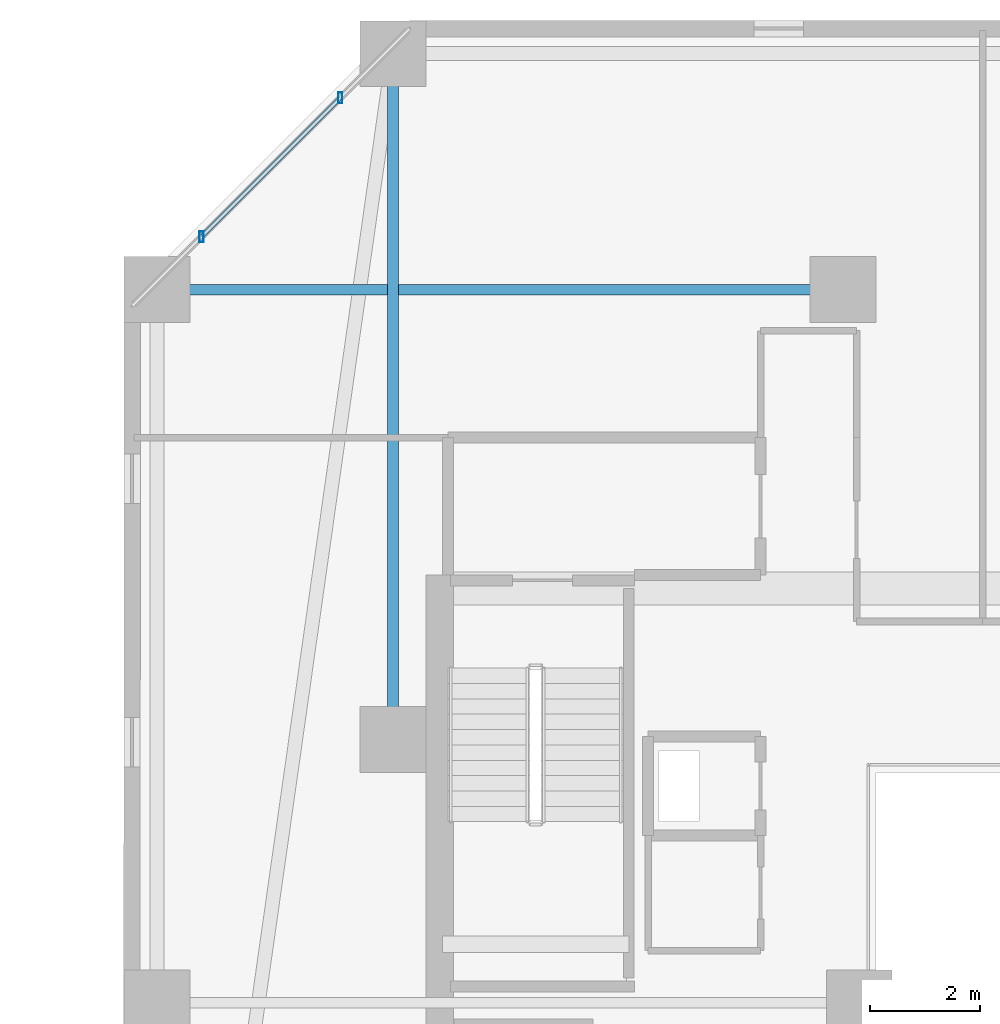
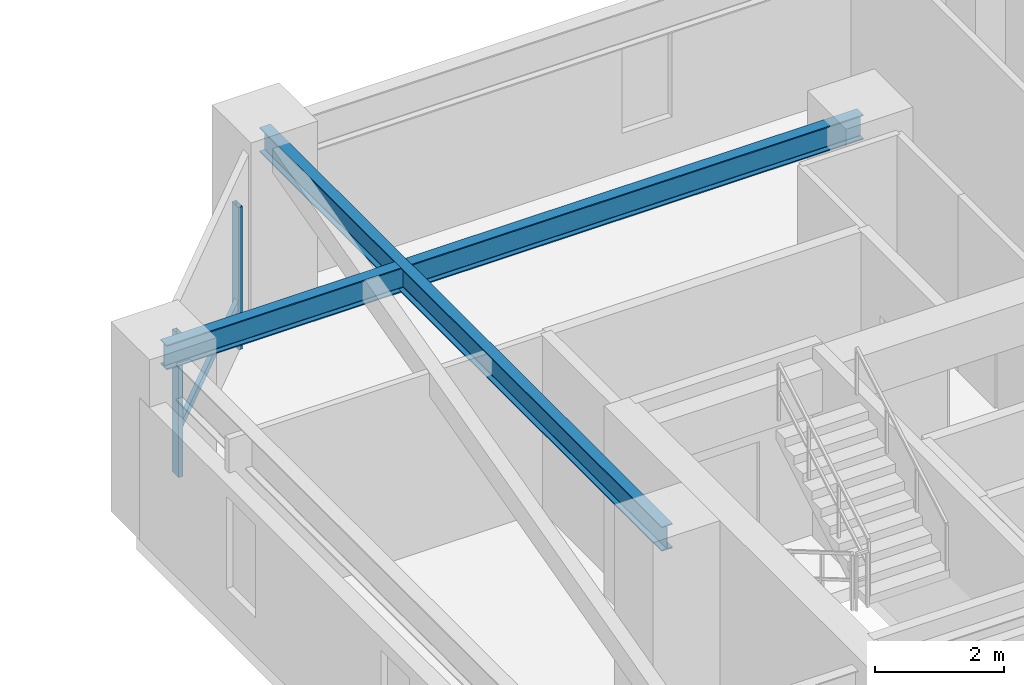
# One storey, part 14 of 33: 3 members, 2 beams, 1 element without a shape of its own.
"""IFC4 building model written with IfcOpenShell, lengths in metres."""

from ifc_helpers import new_model, si_unit, direction, frame, origin, origin_2d, place, context, subcontext, project, spatial, hollow_rectangle, i_section, extrude, material, material_profile, profile_set, type_object, element, aggregate, save


model = new_model("IFC4")

# Units and contexts
model_context = context("Model", 3, precision=1e-05, world=origin(), true_north=direction((0.0, 1.0)))
body_context = subcontext(model_context, "Body", "Model", "MODEL_VIEW")
ifc_project = project(units=[si_unit("LENGTHUNIT", "METRE"), si_unit("AREAUNIT", "SQUARE_METRE"), si_unit("VOLUMEUNIT", "CUBIC_METRE"), si_unit("PLANEANGLEUNIT", "RADIAN"), si_unit("MASSUNIT", "GRAM", prefix="KILO")], contexts=[model_context])

# Site, building, storey
site_placement = place(None, origin())
site = spatial("IfcSite", under=ifc_project, at=site_placement, CompositionType="ELEMENT")
building_placement = place(site_placement, origin())
building = spatial("IfcBuilding", under=site, at=building_placement, Name="Thornwick Lancets Civic Towers", CompositionType="ELEMENT")
storey_placement = place(building_placement, frame((0.0, 0.0, 134.10009765625)))
storey = spatial("IfcBuildingStorey", under=building, at=storey_placement, Name="L35", CompositionType="ELEMENT", Elevation=134.10009765625)

# Beams
ifc_material_1 = material(Name="Steel S355JR", Category="steel")
ifc_material_profile_1 = material_profile(ifc_material_1, i_section(OverallWidth=0.19287109375, OverallDepth=0.46728515625, WebThickness=0.011474609375, FlangeThickness=0.01953125, FilletRadius=0.01025390625, at=origin_2d()), Name="UKB 457x191x98")
ifc_profile_set_1 = profile_set([ifc_material_profile_1], Name="Steel S355JR")
beam_type = type_object("IfcBeamType", Name="BM_JOIST_457_98", PredefinedType="JOIST", material=ifc_profile_set_1)
for number, where, z_axis, x_axis, name in (
    (1, (75.5, 31.800048828125, 3.126220703125), (0.0, 1.0, 0.0), (-1.0, 0.0, 0.0), "BM-RADIN-L35-B06"),
    (2, (83.699951171875, 40.0, 3.126220703125), (-1.0, 0.0, 0.0), (0.0, -1.0, 0.0), "BM-RADIN-L35-B09"),
):
    element("IfcBeam", number, at=place(storey_placement, frame(where, z_axis=z_axis, x_axis=x_axis)), inside=storey, type_object=beam_type, Name=name, PredefinedType="JOIST", context=body_context, shape_type="SweptSolid", body=[
        extrude(i_section(OverallWidth=0.19287109375, OverallDepth=0.46728515625, WebThickness=0.011474609375, FlangeThickness=0.01953125, FilletRadius=0.01025390625, at=origin_2d()), origin(), (0.0, 0.0, 1.0), 12.5),
    ])

# Curtain wall, members
ifc_material_2 = material(Name="Mid-zone chamfered-corner unitised glass curtain wall", Category="glass")
curtain_wall_type = type_object("IfcCurtainWallType", Name="CW_SYS_04", PredefinedType="NOTDEFINED", material=ifc_material_2)
curtain_wall_placement = place(storey_placement, origin())
curtain_wall = element("IfcCurtainWall", 3, at=curtain_wall_placement, inside=storey, type_object=curtain_wall_type, Name="L35 Curtain Wall CW-L35-B-E5", PredefinedType="NOTDEFINED")
ifc_material_3 = material(Name="Thermally broken bronze aluminium S355", Category="steel")
ifc_material_profile_2 = material_profile(ifc_material_3, hollow_rectangle(XDim=0.080078125, YDim=0.199951171875, WallThickness=0.006103515625, at=origin_2d()), Name="RHS 200x80x6")
ifc_profile_set_2 = profile_set([ifc_material_profile_2], Name="Thermally broken bronze aluminium S355")
member_type_1 = type_object("IfcMemberType", Name="CW_MUL_200", PredefinedType="MULLION", material=ifc_profile_set_2)
member_1_placement = place(storey_placement, frame((74.5380859375, 43.493896484375, 0.0), z_axis=(0.0, 0.0, 1.0), x_axis=(1.0, 0.0, 0.0)))
member_1 = element("IfcMember", 4, at=member_1_placement, type_object=member_type_1, Name="CW-L35-B-E5 Mullion 0", PredefinedType="MULLION", context=body_context, shape_type="SweptSolid", body=[
    extrude(hollow_rectangle(XDim=0.080078125, YDim=0.199951171875, WallThickness=0.006103515625, at=origin_2d()), origin(), (0.0, 0.0, 1.0), 2.699951171875),
])
member_2_placement = place(storey_placement, frame((72.006103515625, 40.9619140625, 0.0), z_axis=(0.0, 0.0, 1.0), x_axis=(1.0, 0.0, 0.0)))
member_2 = element("IfcMember", 5, at=member_2_placement, type_object=member_type_1, Name="CW-L35-B-E5 Mullion 1", PredefinedType="MULLION", context=body_context, shape_type="SweptSolid", body=[
    extrude(hollow_rectangle(XDim=0.080078125, YDim=0.199951171875, WallThickness=0.006103515625, at=origin_2d()), origin(), (0.0, 0.0, 1.0), 2.699951171875),
])
ifc_material_profile_3 = material_profile(ifc_material_3, hollow_rectangle(XDim=0.074951171875, YDim=0.14990234375, WallThickness=0.0048828125, at=origin_2d()), Name="RHS 150x75x5")
ifc_profile_set_3 = profile_set([ifc_material_profile_3], Name="Thermally broken bronze aluminium S355")
member_type_2 = type_object("IfcMemberType", Name="CW_TRN_150", PredefinedType="USERDEFINED", material=ifc_profile_set_3)
member_3_placement = place(storey_placement, frame((74.524169921875, 43.47998046875, 0.849853515625), z_axis=(-0.707106781187, -0.707106781187, 0.0), x_axis=(0.707106781187, -0.707106781187, 0.0)))
member_3 = element("IfcMember", 6, at=member_3_placement, type_object=member_type_2, Name="CW-L35-B-E5 Transom 0", ObjectType="TRANSOM", PredefinedType="USERDEFINED", context=body_context, shape_type="SweptSolid", body=[
    extrude(hollow_rectangle(XDim=0.074951171875, YDim=0.14990234375, WallThickness=0.0048828125, at=origin_2d()), origin(), (0.0, 0.0, 1.0), 3.54150390625),
])
aggregate(curtain_wall, [member_1, member_2, member_3])

save(model, "model.ifc")
